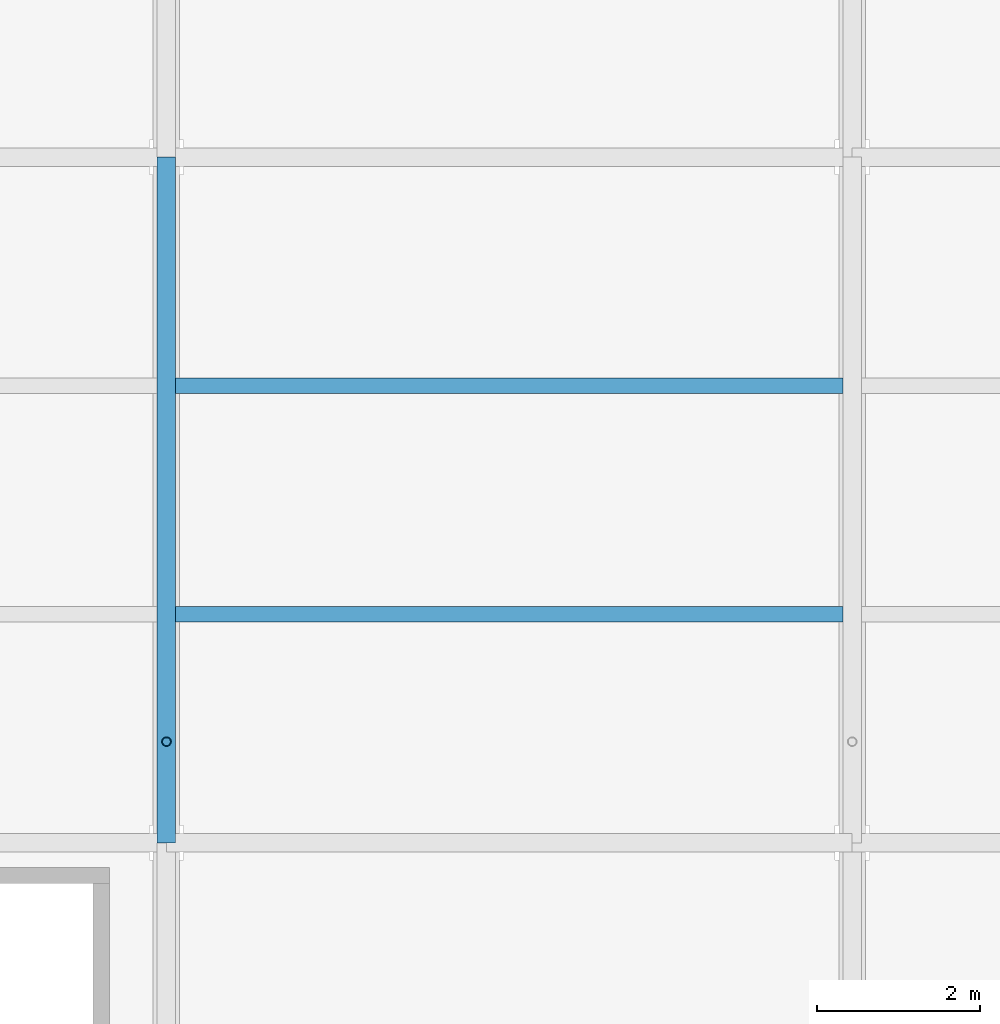
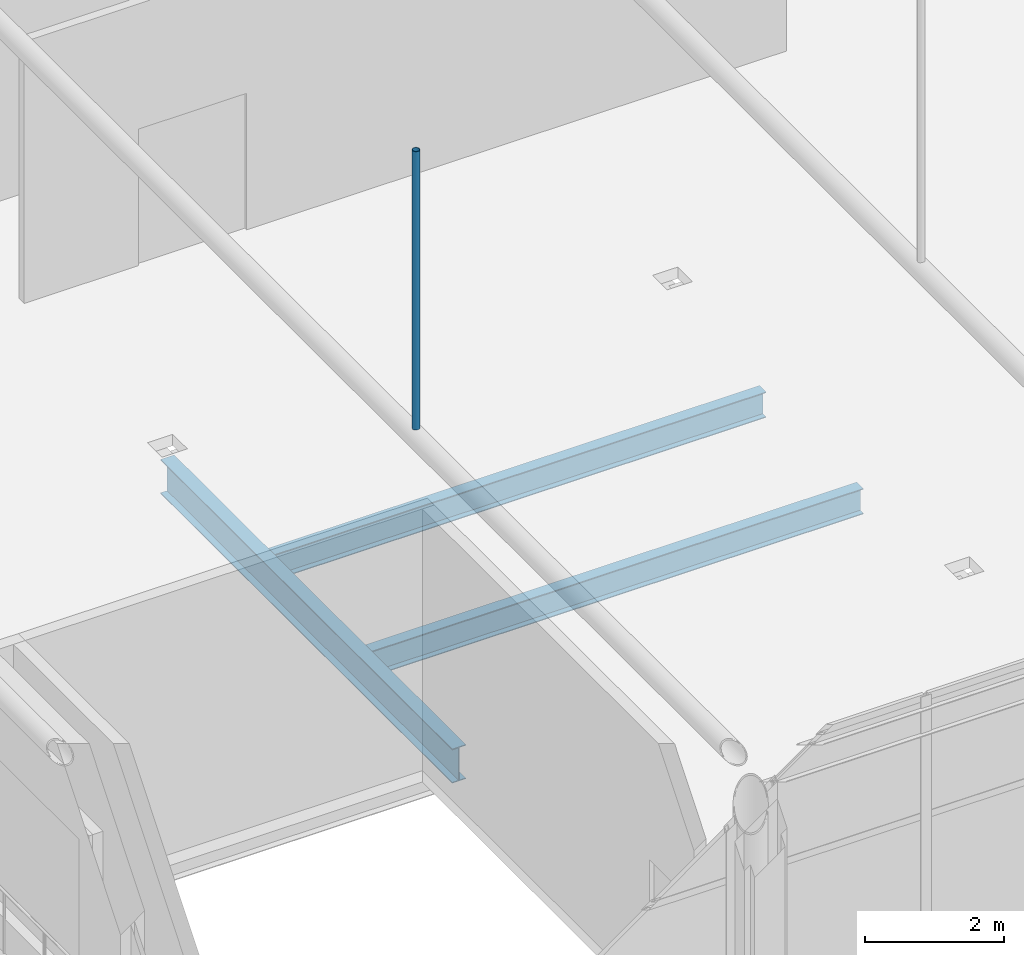
# One storey, part 28 of 167: 3 beams, 1 member.
"""IFC4 building model written with IfcOpenShell, lengths in metres."""

from ifc_helpers import new_model, si_unit, direction, frame, origin, origin_2d, place, context, subcontext, project, spatial, hollow_circle, i_section, extrude, material, material_profile, profile_set, type_object, element, save


model = new_model("IFC4")

# Units and contexts
model_context = context("Model", 3, precision=1e-05, world=origin(), true_north=direction((0.0, 1.0)))
body_context = subcontext(model_context, "Body", "Model", "MODEL_VIEW")
ifc_project = project(units=[si_unit("LENGTHUNIT", "METRE"), si_unit("AREAUNIT", "SQUARE_METRE"), si_unit("VOLUMEUNIT", "CUBIC_METRE"), si_unit("PLANEANGLEUNIT", "RADIAN"), si_unit("MASSUNIT", "GRAM", prefix="KILO")], contexts=[model_context])

# Site, building, storey
site_placement = place(None, origin())
site = spatial("IfcSite", under=ifc_project, at=site_placement, CompositionType="ELEMENT")
building_placement = place(site_placement, origin())
building = spatial("IfcBuilding", under=site, at=building_placement, Name="Catenary Quay Ferry Terminal", CompositionType="ELEMENT")
storey_placement = place(building_placement, frame((0.0, 0.0, 6.0)))
storey = spatial("IfcBuildingStorey", under=building, at=storey_placement, Name="L01", CompositionType="ELEMENT", Elevation=6.0)

# Beams
ifc_material_1 = material(Name="Steel S355", Category="steel")
ifc_material_profile_1 = material_profile(ifc_material_1, i_section(OverallWidth=0.2275390625, OverallDepth=0.6025390625, WebThickness=0.010498046875, FlangeThickness=0.014892578125, at=origin_2d()), Name="UB 610x229x101")
ifc_profile_set_1 = profile_set([ifc_material_profile_1], Name="Steel S355")
beam_type_1 = type_object("IfcBeamType", Name="B3 UB 610x229x101", PredefinedType="BEAM", material=ifc_profile_set_1)
beam_placement = place(storey_placement, frame((67.199951171875, 75.60009765625, -0.5009765625), z_axis=(0.0, 1.0, 0.0), x_axis=(-1.0, 0.0, 0.0)))
element("IfcBeam", 1, at=beam_placement, inside=storey, type_object=beam_type_1, Name="Beam B3-031", PredefinedType="BEAM", context=body_context, shape_type="SweptSolid", body=[
    extrude(i_section(OverallWidth=0.2275390625, OverallDepth=0.6025390625, WebThickness=0.010498046875, FlangeThickness=0.014892578125, at=origin_2d()), origin(), (0.0, 0.0, 1.0), 8.39990234375),
])
ifc_material_2 = material(Name="Steel S355", Category="steel")
ifc_material_profile_2 = material_profile(ifc_material_2, i_section(OverallWidth=0.18994140625, OverallDepth=0.449951171875, WebThickness=0.009521484375, FlangeThickness=0.0146484375, at=origin_2d()), Name="IPE 450")
ifc_profile_set_2 = profile_set([ifc_material_profile_2], Name="Steel S355")
beam_type_2 = type_object("IfcBeamType", Name="B4 IPE 450", PredefinedType="BEAM", material=ifc_profile_set_2)
for number, where, z_axis, x_axis, name in (
    (2, (67.31396484375, 78.39990234375, -0.425048828125), (1.0, 0.0, 0.0), (0.0, 1.0, 0.0), "Beam B4-006"),
    (3, (67.31396484375, 81.199951171875, -0.425048828125), (1.0, 0.0, 0.0), (0.0, 1.0, 0.0), "Beam B4-010"),
):
    element("IfcBeam", number, at=place(storey_placement, frame(where, z_axis=z_axis, x_axis=x_axis)), inside=storey, type_object=beam_type_2, Name=name, PredefinedType="BEAM", context=body_context, shape_type="SweptSolid", body=[
        extrude(i_section(OverallWidth=0.18994140625, OverallDepth=0.449951171875, WebThickness=0.009521484375, FlangeThickness=0.0146484375, at=origin_2d()), origin(), (0.0, 0.0, 1.0), 8.172119140625),
    ])

# Member
ifc_material_3 = material(Name="Steel S355", Category="steel")
ifc_material_profile_3 = material_profile(ifc_material_3, hollow_circle(Radius=0.05712890625, WallThickness=0.00634765625, at=origin_2d()), Name="CHS 114.3x6.3")
ifc_profile_set_3 = profile_set([ifc_material_profile_3], Name="Steel S355")
member_type = type_object("IfcMemberType", Name="HG1 CHS 114.3x6.3", PredefinedType="POST", material=ifc_profile_set_3)
member_placement = place(storey_placement, frame((67.199951171875, 76.840087890625, 4.654052734375), z_axis=(0.0, 0.0, 1.0), x_axis=(1.0, 0.0, 0.0)))
element("IfcMember", 4, at=member_placement, inside=storey, type_object=member_type, Name="Hanger VA-06-03", PredefinedType="POST", context=body_context, shape_type="SweptSolid", body=[
    extrude(hollow_circle(Radius=0.05712890625, WallThickness=0.00634765625, at=origin_2d()), origin(), (0.0, 0.0, 1.0), 4.89599609375),
])

save(model, "model.ifc")
